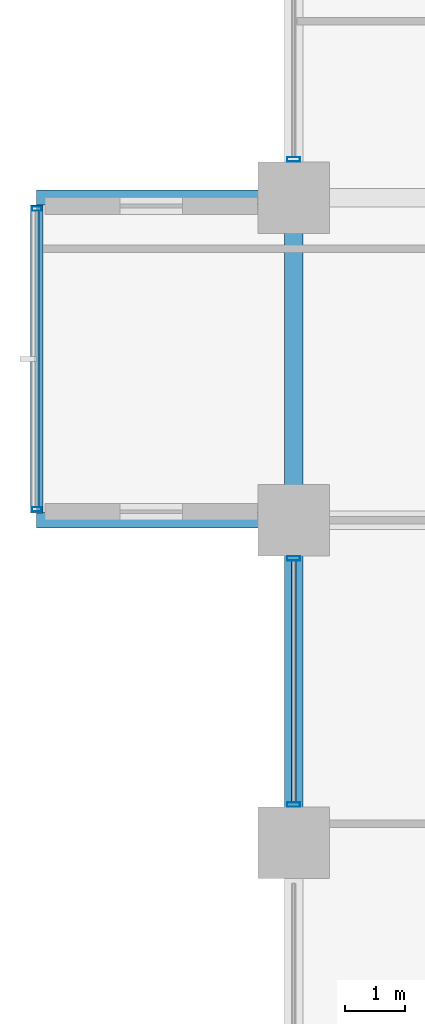
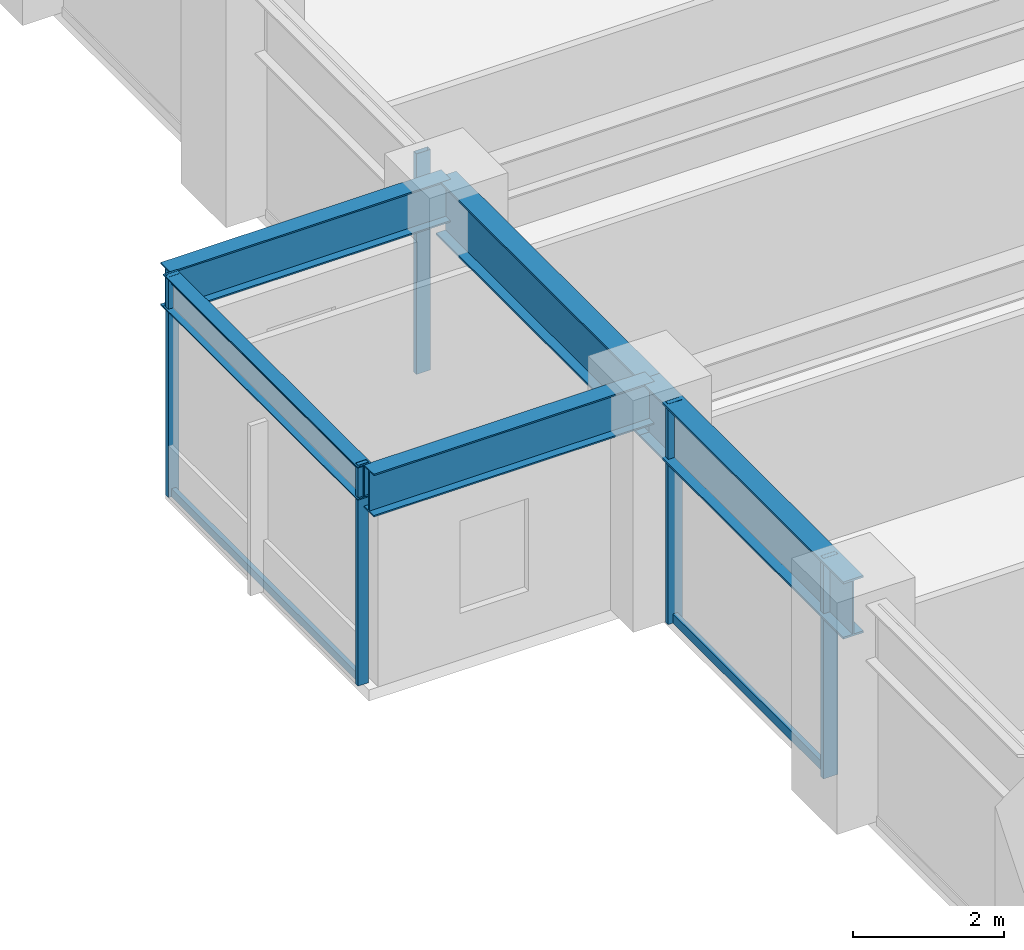
# One storey, part 5 of 28: 8 members, 5 beams, 3 elements without a shape of their own.
"""IFC4 building model written with IfcOpenShell, lengths in metres."""

import ifcopenshell
import ifcopenshell.guid

model = None  # the IFC model being written
_history = None  # IfcOwnerHistory: only IFC2X3 demands one
_inside = {}  # id of a spatial element -> (the spatial element, [elements in it])
_under = {}  # id of a project, library or spatial element -> (it, [spatial elements below it])
_declared = {}  # id of a project -> (the project, [libraries it declares])
_typed = {}  # id of a type object -> (the type object, [elements of that type])
_made_of = {}  # id of a material, layer set ... -> (it, [elements and type objects made of it])


def new_model(schema):
    """Start an empty IFC model of exactly this schema.

    Asked for "IFC4X3", IfcOpenShell would pick the latest addendum, in which some entities
    have other attributes; the version numbers below select the first issue.
    IFC2X3 requires an IfcOwnerHistory on every rooted entity: one is made here for all.
    """
    global model, _history
    if schema == "IFC4X3":
        model = ifcopenshell.file(schema_version=(4, 3, 0, 0))
    else:
        model = ifcopenshell.file(schema=schema)
    _inside.clear()
    _under.clear()
    _declared.clear()
    _typed.clear()
    _made_of.clear()
    _history = None
    if model.schema == "IFC2X3":
        org = make("IfcOrganization", Name="unknown")
        user = make(
            "IfcPersonAndOrganization",
            ThePerson=make("IfcPerson", FamilyName="unknown"),
            TheOrganization=org,
        )
        app = make(
            "IfcApplication",
            ApplicationDeveloper=org,
            Version="unknown",
            ApplicationFullName="unknown",
            ApplicationIdentifier="unknown",
        )
        _history = make(
            "IfcOwnerHistory",
            OwningUser=user,
            OwningApplication=app,
            ChangeAction="ADDED",
            CreationDate=0,
        )
    return model


def make(cls, **values):
    """One entity of the class cls with the attributes given. An attribute that is None is left unset."""
    return model.create_entity(
        cls, **{name: value for name, value in values.items() if value is not None}
    )


def rooted(cls, **values):
    """An entity with a GlobalId (a new one), such as an element, a storey or a relation."""
    return make(cls, GlobalId=ifcopenshell.guid.new(), OwnerHistory=_history, **values)


def si_unit(unit_type, name, prefix=None):
    """IfcSIUnit, for example si_unit("LENGTHUNIT", "METRE", prefix="MILLI")."""
    return make("IfcSIUnit", UnitType=unit_type, Prefix=prefix, Name=name)


def assignment(units):
    """IfcUnitAssignment: the units of a project."""
    return None if units is None else make("IfcUnitAssignment", Units=units)


def point(xyz):
    """IfcCartesianPoint."""
    return None if xyz is None else make("IfcCartesianPoint", Coordinates=xyz)


def direction(xyz):
    """IfcDirection."""
    return None if xyz is None else make("IfcDirection", DirectionRatios=xyz)


def frame(location, z_axis=None, x_axis=None):
    """IfcAxis2Placement3D, a coordinate frame: its origin and axes. An axis left out is left unset."""
    return make(
        "IfcAxis2Placement3D",
        Location=point(location),
        Axis=direction(z_axis),
        RefDirection=direction(x_axis),
    )


def frame_2d(location, x_axis=None):
    """IfcAxis2Placement2D, a coordinate frame in the plane: its origin and x axis."""
    return make(
        "IfcAxis2Placement2D", Location=point(location), RefDirection=direction(x_axis)
    )


def origin():
    """The frame at (0, 0, 0) with its axes left unset."""
    return frame((0.0, 0.0, 0.0))


def origin_2d():
    """The frame at (0, 0) in the plane with its x axis left unset."""
    return frame_2d((0.0, 0.0))


def place(relative_to, where):
    """IfcLocalPlacement: puts the frame where relative to a parent placement (None: the world)."""
    return make(
        "IfcLocalPlacement", PlacementRelTo=relative_to, RelativePlacement=where
    )


def context(
    kind, dimensions, precision=None, world=None, true_north=None, identifier=None
):
    """IfcGeometricRepresentationContext, for example the 3D "Model" context."""
    return make(
        "IfcGeometricRepresentationContext",
        ContextIdentifier=identifier,
        ContextType=kind,
        CoordinateSpaceDimension=dimensions,
        Precision=precision,
        WorldCoordinateSystem=world,
        TrueNorth=true_north,
    )


def subcontext(parent, identifier, kind, view, scale=None):
    """IfcGeometricRepresentationSubContext, for example "Body" below "Model"."""
    return make(
        "IfcGeometricRepresentationSubContext",
        ContextIdentifier=identifier,
        ContextType=kind,
        ParentContext=parent,
        TargetScale=scale,
        TargetView=view,
    )


def project(units=None, contexts=None):
    """IfcProject with its units and contexts."""
    return rooted(
        "IfcProject",
        Name="project",
        RepresentationContexts=contexts,
        UnitsInContext=assignment(units),
    )


def spatial(cls, under=None, at=None, **own):
    """A site, building, storey or space (cls), placed at a placement, below another one or the project."""
    s = rooted(cls, ObjectPlacement=at, **own)
    if under is not None:
        _under.setdefault(under.id(), (under, []))[1].append(s)
    return s


def profile(cls, at=None, kind="AREA", **sizes):
    """A parametric profile (cls). Its sizes go by their IFC names, for example OverallWidth=200.0."""
    return make(cls, ProfileType=kind, Position=at, **sizes)


def hollow_rectangle(**sizes):
    """IfcRectangleHollowProfileDef."""
    return profile("IfcRectangleHollowProfileDef", **sizes)


def i_section(**sizes):
    """IfcIShapeProfileDef."""
    return profile("IfcIShapeProfileDef", **sizes)


def extrude(swept, where, along, depth):
    """IfcExtrudedAreaSolid: the profile swept, set in the frame where, extruded along a direction by depth."""
    return make(
        "IfcExtrudedAreaSolid",
        SweptArea=swept,
        Position=where,
        ExtrudedDirection=direction(along),
        Depth=depth,
    )


def shape(context_of_items, identifier, shape_type, items):
    """IfcShapeRepresentation: the items that make up one representation, for example the "Body"."""
    return make(
        "IfcShapeRepresentation",
        ContextOfItems=context_of_items,
        RepresentationIdentifier=identifier,
        RepresentationType=shape_type,
        Items=items,
    )


def material(Name=None, Category=None):
    """IfcMaterial."""
    return make("IfcMaterial", Name=Name, Category=Category)


def layer(
    of_material, thickness, ventilated=None, Name=None, Category=None, Priority=None
):
    """IfcMaterialLayer: one layer of a wall or slab, of a material (None: an air gap)."""
    return make(
        "IfcMaterialLayer",
        Material=of_material,
        LayerThickness=thickness,
        IsVentilated=ventilated,
        Name=Name,
        Category=Category,
        Priority=Priority,
    )


def layer_set(layers, Name=None):
    """IfcMaterialLayerSet."""
    return make("IfcMaterialLayerSet", MaterialLayers=layers, LayerSetName=Name)


def material_profile(
    of_material, cross_section, Name=None, Category=None, Priority=None
):
    """IfcMaterialProfile: a cross section and its material."""
    return make(
        "IfcMaterialProfile",
        Name=Name,
        Material=of_material,
        Profile=cross_section,
        Priority=Priority,
        Category=Category,
    )


def profile_set(profiles, Name=None, composite=None):
    """IfcMaterialProfileSet."""
    return make(
        "IfcMaterialProfileSet",
        Name=Name,
        MaterialProfiles=profiles,
        CompositeProfile=composite,
    )


def made_of(thing, what):
    """Note that an element or type object is made of a material, layer set ...; save() writes the relation."""
    if what is not None:
        _made_of.setdefault(what.id(), (what, []))[1].append(thing)
    return thing


def type_object(cls, material=None, **own):
    """A type object (cls), such as IfcWallType, which elements share."""
    return made_of(rooted(cls, **own), material)


def element(
    cls,
    number,
    at=None,
    inside=None,
    cuts=None,
    type_object=None,
    material=None,
    context=None,
    identifier="Body",
    shape_type=None,
    held_by="IfcProductDefinitionShape",
    body=None,
    shapes=None,
    **own,
):
    """One element of the class cls, such as IfcWall. Its Tag is "e" and its number.

    at: its placement. inside: the storey or other place that contains it. cuts: it is an
    opening in that element (IfcRelVoidsElement). A single representation is given by context,
    identifier, shape_type and body (its items); several are given by shapes. held_by: the class
    of the entity that holds the representations. save() writes the other relations.
    """
    e = rooted(cls, Tag="e%d" % number, ObjectPlacement=at, **own)
    if body is not None:
        shapes = [shape(context, identifier, shape_type, body)]
    if shapes is not None:
        e.Representation = make(held_by, Representations=shapes)
    if inside is not None:
        _inside.setdefault(inside.id(), (inside, []))[1].append(e)
    if cuts is not None:
        rooted(
            "IfcRelVoidsElement", RelatingBuildingElement=cuts, RelatedOpeningElement=e
        )
    if type_object is not None:
        _typed.setdefault(type_object.id(), (type_object, []))[1].append(e)
    return made_of(e, material)


def aggregate(whole, parts):
    """IfcRelAggregates: a whole, such as a stair, and the parts it consists of."""
    return rooted("IfcRelAggregates", RelatingObject=whole, RelatedObjects=parts)


def save(model, path):
    """Write the relations noted so far, then the file.

    IfcRelAggregates (storeys below a building ...), IfcRelContainedInSpatialStructure (elements
    in a storey), IfcRelDefinesByType, IfcRelAssociatesMaterial and IfcRelDeclares: one each for
    every whole, place, type object, material and project.
    """
    for whole, parts in _under.values():
        aggregate(whole, parts)
    for where, things in _inside.values():
        rooted(
            "IfcRelContainedInSpatialStructure",
            RelatedElements=things,
            RelatingStructure=where,
        )
    for kind, things in _typed.values():
        rooted("IfcRelDefinesByType", RelatedObjects=things, RelatingType=kind)
    for what, things in _made_of.values():
        rooted("IfcRelAssociatesMaterial", RelatedObjects=things, RelatingMaterial=what)
    for by, libraries in _declared.values():
        rooted("IfcRelDeclares", RelatingContext=by, RelatedDefinitions=libraries)
    model.write(path)


model = new_model("IFC4")

# Units and contexts
model_context = context("Model", 3, precision=1e-05, world=origin(), true_north=direction((0.0, 1.0)))
body_context = subcontext(model_context, "Body", "Model", "MODEL_VIEW")
ifc_project = project(units=[si_unit("LENGTHUNIT", "METRE"), si_unit("AREAUNIT", "SQUARE_METRE"), si_unit("VOLUMEUNIT", "CUBIC_METRE"), si_unit("PLANEANGLEUNIT", "RADIAN"), si_unit("MASSUNIT", "GRAM", prefix="KILO")], contexts=[model_context])

# Site, building, storey
site_placement = place(None, origin())
site = spatial("IfcSite", under=ifc_project, at=site_placement, CompositionType="ELEMENT")
building_placement = place(site_placement, origin())
building = spatial("IfcBuilding", under=site, at=building_placement, Name="Surkhivell Harbour Commons", CompositionType="ELEMENT")
storey_placement = place(building_placement, frame((0.0, 0.0, 67.5)))
storey = spatial("IfcBuildingStorey", under=building, at=storey_placement, Name="L17", CompositionType="ELEMENT", Elevation=67.5)

# Beams
ifc_material_1 = material(Name="Steel S460", Category="steel")
ifc_material_profile_1 = material_profile(ifc_material_1, i_section(OverallWidth=0.256103515625, OverallDepth=0.693115234375, WebThickness=0.014404296875, FlangeThickness=0.023681640625, at=origin_2d()), Name="UB686x254x170")
ifc_profile_set_1 = profile_set([ifc_material_profile_1], Name="Steel S460")
beam_type_1 = type_object("IfcBeamType", Name="BM-CNT-686", PredefinedType="BEAM", material=ifc_profile_set_1)
for number, where, z_axis, x_axis, name in (
    (1, (-32.39990234375, 0.0, 3.223388671875), (-1.0, 0.0, 0.0), (0.0, -1.0, 0.0), "L17 Box Cantilever Outrigger (-32.4,0.0)"),
    (2, (-32.39990234375, 5.39990234375, 3.223388671875), (-1.0, 0.0, 0.0), (0.0, -1.0, 0.0), "L17 Box Cantilever Outrigger (-32.4,5.4)"),
):
    element("IfcBeam", number, at=place(storey_placement, frame(where, z_axis=z_axis, x_axis=x_axis)), inside=storey, type_object=beam_type_1, Name=name, PredefinedType="BEAM", context=body_context, shape_type="SweptSolid", body=[
        extrude(i_section(OverallWidth=0.256103515625, OverallDepth=0.693115234375, WebThickness=0.014404296875, FlangeThickness=0.023681640625, at=origin_2d()), origin(), (0.0, 0.0, 1.0), 4.300048828125),
    ])
ifc_material_2 = material(Name="Steel S355", Category="steel")
ifc_material_profile_2 = material_profile(ifc_material_2, i_section(OverallWidth=0.2099609375, OverallDepth=0.537109375, WebThickness=0.0107421875, FlangeThickness=0.017333984375, at=origin_2d()), Name="UB533x210x101")
ifc_profile_set_2 = profile_set([ifc_material_profile_2], Name="Steel S355")
beam_type_2 = type_object("IfcBeamType", Name="BM-GRD-533B", PredefinedType="BEAM", material=ifc_profile_set_2)
beam_placement = place(storey_placement, frame((-36.699951171875, 0.1220703125, 3.301513671875), z_axis=(0.0, 1.0, 0.0), x_axis=(-1.0, 0.0, 0.0)))
element("IfcBeam", 3, at=beam_placement, inside=storey, type_object=beam_type_2, Name="L17 Box Rim Spandrel (-36.7,0.0)", PredefinedType="BEAM", context=body_context, shape_type="SweptSolid", body=[
    extrude(i_section(OverallWidth=0.2099609375, OverallDepth=0.537109375, WebThickness=0.0107421875, FlangeThickness=0.017333984375, at=origin_2d()), origin(), (0.0, 0.0, 1.0), 5.156005859375),
])
ifc_material_profile_3 = material_profile(ifc_material_1, i_section(OverallWidth=0.30810546875, OverallDepth=0.927001953125, WebThickness=0.01953125, FlangeThickness=0.031982421875, at=origin_2d()), Name="UB914x305x289")
ifc_profile_set_3 = profile_set([ifc_material_profile_3], Name="Steel S460")
beam_type_3 = type_object("IfcBeamType", Name="BM-SPN-914B", PredefinedType="SPANDREL", material=ifc_profile_set_3)
for number, where, z_axis, x_axis, name in (
    (4, (-32.39990234375, -5.39990234375, 3.1064453125), (0.0, 1.0, 0.0), (-1.0, 0.0, 0.0), "L17 Tube Spandrel (-32.4,-5.4)"),
    (5, (-32.39990234375, 0.0, 3.1064453125), (0.0, 1.0, 0.0), (-1.0, 0.0, 0.0), "L17 Tube Spandrel (-32.4,0.0)"),
):
    element("IfcBeam", number, at=place(storey_placement, frame(where, z_axis=z_axis, x_axis=x_axis)), inside=storey, type_object=beam_type_3, Name=name, PredefinedType="SPANDREL", context=body_context, shape_type="SweptSolid", body=[
        extrude(i_section(OverallWidth=0.30810546875, OverallDepth=0.927001953125, WebThickness=0.01953125, FlangeThickness=0.031982421875, at=origin_2d()), origin(), (0.0, 0.0, 1.0), 5.39990234375),
    ])

# Curtain wall, members
ifc_material_3 = material(Name="Anodised pale-metal aluminium and insulated glazing", Category="aluminium")
ifc_layer_1 = layer(ifc_material_3, 0.1650390625)
ifc_layer_set_1 = layer_set([ifc_layer_1], Name="Anodised pale-metal aluminium and insulated glazing")
curtain_wall_type_1 = type_object("IfcCurtainWallType", Name="CW-SYS-BOX", PredefinedType="NOTDEFINED", material=ifc_layer_set_1)
curtain_wall_1_placement = place(storey_placement, origin())
curtain_wall_1 = element("IfcCurtainWall", 6, at=curtain_wall_1_placement, inside=storey, type_object=curtain_wall_type_1, Name="L17 Curtain Wall CW-L17-BOX02", PredefinedType="NOTDEFINED")
ifc_material_4 = material(Name="Champagne anodised aluminium alloy 6063-T6", Category="aluminium")
ifc_material_profile_4 = material_profile(ifc_material_4, hollow_rectangle(XDim=0.070068359375, YDim=0.1650390625, WallThickness=0.00341796875, at=origin_2d()), Name="ALU-MULL-70x165")
ifc_profile_set_4 = profile_set([ifc_material_profile_4], Name="Champagne anodised aluminium alloy 6063-T6")
member_type_1 = type_object("IfcMemberType", Name="CWM-165", PredefinedType="MULLION", material=ifc_profile_set_4)
member_1_placement = place(storey_placement, frame((-36.699951171875, 0.18505859375, 0.0), z_axis=(0.0, 0.0, 1.0), x_axis=(0.0, 1.0, 0.0)))
member_1 = element("IfcMember", 7, at=member_1_placement, type_object=member_type_1, Name="CW-BOX mullion 1", PredefinedType="MULLION", context=body_context, shape_type="SweptSolid", body=[
    extrude(hollow_rectangle(XDim=0.070068359375, YDim=0.1650390625, WallThickness=0.00341796875, at=origin_2d()), origin(), (0.0, 0.0, 1.0), 3.570068359375),
])
member_2_placement = place(storey_placement, frame((-36.699951171875, 5.215087890625, 0.0), z_axis=(0.0, 0.0, 1.0), x_axis=(0.0, 1.0, 0.0)))
member_2 = element("IfcMember", 8, at=member_2_placement, type_object=member_type_1, Name="CW-BOX mullion 2", PredefinedType="MULLION", context=body_context, shape_type="SweptSolid", body=[
    extrude(hollow_rectangle(XDim=0.070068359375, YDim=0.1650390625, WallThickness=0.00341796875, at=origin_2d()), origin(), (0.0, 0.0, 1.0), 3.570068359375),
])

ifc_layer_2 = layer(ifc_material_3, 0.219970703125)
ifc_layer_set_2 = layer_set([ifc_layer_2], Name="Anodised pale-metal aluminium and insulated glazing")
curtain_wall_type_2 = type_object("IfcCurtainWallType", Name="CW-SYS-Z1", PredefinedType="NOTDEFINED", material=ifc_layer_set_2)
curtain_wall_2_placement = place(storey_placement, origin())
curtain_wall_2 = element("IfcCurtainWall", 9, at=curtain_wall_2_placement, inside=storey, type_object=curtain_wall_type_2, Name="L17 Curtain Wall CW-L17-E12R1S2", PredefinedType="NOTDEFINED")
ifc_material_5 = material(Name="Anodised pale-metal aluminium alloy 6063-T6", Category="aluminium")
ifc_material_profile_5 = material_profile(ifc_material_5, hollow_rectangle(XDim=0.074951171875, YDim=0.219970703125, WallThickness=0.00390625, at=origin_2d()), Name="ALU-MULL-75x220")
ifc_profile_set_5 = profile_set([ifc_material_profile_5], Name="Anodised pale-metal aluminium alloy 6063-T6")
member_type_2 = type_object("IfcMemberType", Name="CWM-220", PredefinedType="MULLION", material=ifc_profile_set_5)
member_3_placement = place(storey_placement, frame((-32.39990234375, -4.760498046875, 0.0), z_axis=(0.0, 0.0, 1.0), x_axis=(0.0, 1.0, 0.0)))
member_3 = element("IfcMember", 10, at=member_3_placement, type_object=member_type_2, Name="CW-Z1 mullion 2", PredefinedType="MULLION", context=body_context, shape_type="SweptSolid", body=[
    extrude(hollow_rectangle(XDim=0.074951171875, YDim=0.219970703125, WallThickness=0.00390625, at=origin_2d()), origin(), (0.0, 0.0, 1.0), 3.570068359375),
])
member_4_placement = place(storey_placement, frame((-32.39990234375, -0.639404296875, 0.0), z_axis=(0.0, 0.0, 1.0), x_axis=(0.0, 1.0, 0.0)))
member_4 = element("IfcMember", 11, at=member_4_placement, type_object=member_type_2, Name="CW-Z1 mullion 3", PredefinedType="MULLION", context=body_context, shape_type="SweptSolid", body=[
    extrude(hollow_rectangle(XDim=0.074951171875, YDim=0.219970703125, WallThickness=0.00390625, at=origin_2d()), origin(), (0.0, 0.0, 1.0), 3.570068359375),
])

# Curtain wall, member
curtain_wall_3_placement = place(storey_placement, origin())
curtain_wall_3 = element("IfcCurtainWall", 12, at=curtain_wall_3_placement, inside=storey, type_object=curtain_wall_type_2, Name="L17 Curtain Wall CW-L17-E12R2", PredefinedType="NOTDEFINED")
member_5_placement = place(storey_placement, frame((-32.39990234375, 6.03955078125, 0.0), z_axis=(0.0, 0.0, 1.0), x_axis=(0.0, 1.0, 0.0)))
member_5 = element("IfcMember", 13, at=member_5_placement, type_object=member_type_2, Name="CW-Z1 mullion 1", PredefinedType="MULLION", context=body_context, shape_type="SweptSolid", body=[
    extrude(hollow_rectangle(XDim=0.074951171875, YDim=0.219970703125, WallThickness=0.00390625, at=origin_2d()), origin(), (0.0, 0.0, 1.0), 3.570068359375),
])
aggregate(curtain_wall_3, [member_5])

# Member
ifc_material_profile_6 = material_profile(ifc_material_4, hollow_rectangle(XDim=0.070068359375, YDim=0.1298828125, WallThickness=0.00341796875, at=origin_2d()), Name="ALU-TRAN-70x130")
ifc_profile_set_6 = profile_set([ifc_material_profile_6], Name="Champagne anodised aluminium alloy 6063-T6")
member_type_3 = type_object("IfcMemberType", Name="CWT-130", PredefinedType="USERDEFINED", material=ifc_profile_set_6)
member_6_placement = place(storey_placement, frame((-36.699951171875, 0.219970703125, 0.06494140625), z_axis=(0.0, 1.0, 0.0), x_axis=(-1.0, 0.0, 0.0)))
member_6 = element("IfcMember", 14, at=member_6_placement, type_object=member_type_3, Name="CW-BOX transom 1.1", ObjectType="TRANSOM", PredefinedType="USERDEFINED", context=body_context, shape_type="SweptSolid", body=[
    extrude(hollow_rectangle(XDim=0.070068359375, YDim=0.1298828125, WallThickness=0.00341796875, at=origin_2d()), origin(), (0.0, 0.0, 1.0), 4.9599609375),
])

member_7_placement = place(storey_placement, frame((-36.699951171875, 0.219970703125, 3.5048828125), z_axis=(0.0, 1.0, 0.0), x_axis=(-1.0, 0.0, 0.0)))
member_7 = element("IfcMember", 15, at=member_7_placement, type_object=member_type_3, Name="CW-BOX transom 1.2", ObjectType="TRANSOM", PredefinedType="USERDEFINED", context=body_context, shape_type="SweptSolid", body=[
    extrude(hollow_rectangle(XDim=0.070068359375, YDim=0.1298828125, WallThickness=0.00341796875, at=origin_2d()), origin(), (0.0, 0.0, 1.0), 4.9599609375),
])

aggregate(curtain_wall_1, [member_1, member_2, member_6, member_7])

ifc_material_profile_7 = material_profile(ifc_material_5, hollow_rectangle(XDim=0.074951171875, YDim=0.14990234375, WallThickness=0.00341796875, at=origin_2d()), Name="ALU-TRAN-75x150")
ifc_profile_set_7 = profile_set([ifc_material_profile_7], Name="Anodised pale-metal aluminium alloy 6063-T6")
member_type_4 = type_object("IfcMemberType", Name="CWT-150", PredefinedType="USERDEFINED", material=ifc_profile_set_7)
member_8_placement = place(storey_placement, frame((-32.39990234375, -4.722900390625, 0.074951171875), z_axis=(0.0, 1.0, 0.0), x_axis=(-1.0, 0.0, 0.0)))
member_8 = element("IfcMember", 16, at=member_8_placement, type_object=member_type_4, Name="CW-Z1 transom 2.1", ObjectType="TRANSOM", PredefinedType="USERDEFINED", context=body_context, shape_type="SweptSolid", body=[
    extrude(hollow_rectangle(XDim=0.074951171875, YDim=0.14990234375, WallThickness=0.00341796875, at=origin_2d()), origin(), (0.0, 0.0, 1.0), 4.0458984375),
])

aggregate(curtain_wall_2, [member_3, member_4, member_8])

save(model, "model.ifc")
